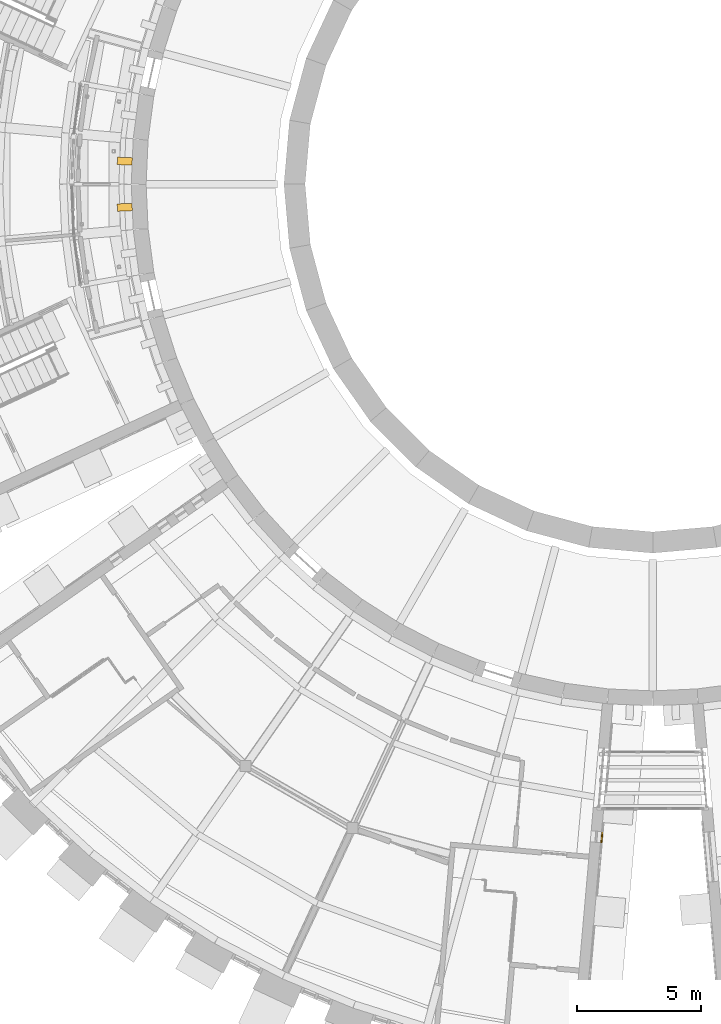
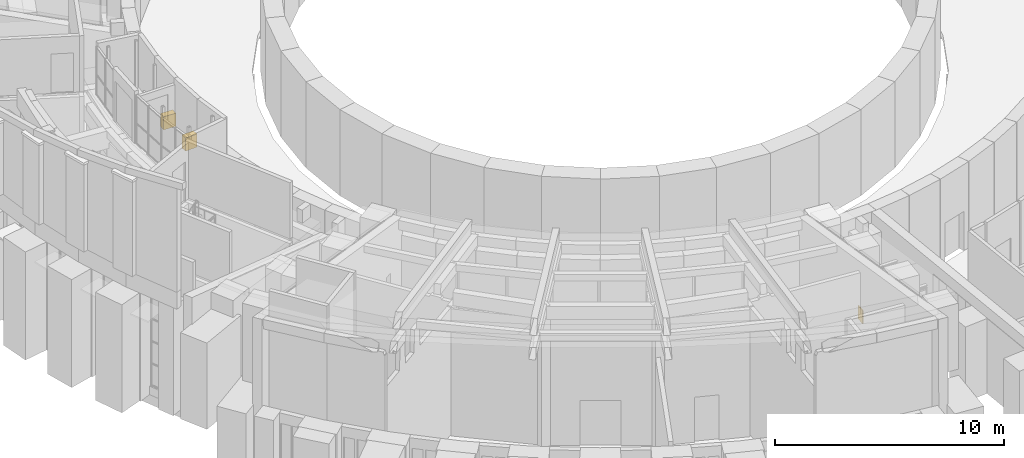
# One storey, part 65 of 66: 3 coverings.
"""IFC4 building model written with IfcOpenShell, lengths in metres."""

from ifc_helpers import new_model, si_unit, direction, frame, origin, origin_2d, place, context, subcontext, project, spatial, polyline, rectangle, outline, extrude, material, layer, layer_set, type_object, element, save


model = new_model("IFC4")

# Units and contexts
model_context = context("Model", 3, precision=1e-05, world=origin(), true_north=direction((0.0, 1.0)))
body_context = subcontext(model_context, "Body", "Model", "MODEL_VIEW")
ifc_project = project(units=[si_unit("LENGTHUNIT", "METRE"), si_unit("AREAUNIT", "SQUARE_METRE"), si_unit("VOLUMEUNIT", "CUBIC_METRE"), si_unit("PLANEANGLEUNIT", "RADIAN"), si_unit("MASSUNIT", "GRAM", prefix="KILO")], contexts=[model_context])

# Site, building, storey
site_placement = place(None, origin())
site = spatial("IfcSite", under=ifc_project, at=site_placement, CompositionType="ELEMENT")
building_placement = place(site_placement, origin())
building = spatial("IfcBuilding", under=site, at=building_placement, Name="Volute Hill Aquarium", CompositionType="ELEMENT")
storey_placement = place(building_placement, frame((0.0, 0.0, 4.60009765625)))
storey = spatial("IfcBuildingStorey", under=building, at=storey_placement, Name="L02", CompositionType="ELEMENT", Elevation=4.60009765625)

# Coverings
ifc_material_1 = material(Name="Precast pale concrete C40/50", Category="concrete")
covering_type_1 = type_object("IfcCoveringType", Name="Drum pier fin 300x600", PredefinedType="CLADDING", material=ifc_material_1)
for number, where, z_axis, x_axis, name in (
    (1, (-21.260009765625, 0.92822265625, 3.89990234375), (0.0, 0.0, 1.0), (-0.043619387365, -0.999048221582, 0.0), "Drum pier fin DF 36 L02"),
    (2, (-21.260009765625, -0.92822265625, 3.89990234375), (0.0, 0.0, 1.0), (0.043619387365, -0.999048221582, 0.0), "Drum pier fin DF 37 L02"),
):
    element("IfcCovering", number, at=place(storey_placement, frame(where, z_axis=z_axis, x_axis=x_axis)), inside=storey, type_object=covering_type_1, Name=name, PredefinedType="CLADDING", context=body_context, shape_type="SweptSolid", body=[
        extrude(rectangle(XDim=0.300048828125, YDim=0.60009765625, at=origin_2d()), origin(), (0.0, 0.0, 1.0), 0.699951171875),
    ])
ifc_material_2 = material(Name="Precast concrete C40/50", Category="concrete")
ifc_layer = layer(ifc_material_2, 0.050048828125)
ifc_layer_set = layer_set([ifc_layer], Name="End wall precast infill panel C40/50 50")
covering_type_2 = type_object("IfcCoveringType", Name="End wall precast infill panel C40/50 50", PredefinedType="CLADDING", material=ifc_layer_set)
covering_placement = place(storey_placement, frame((-2.0546875, -26.067138671875, 3.2998046875), z_axis=(-0.996177209405, 0.087355408886, 0.0), x_axis=(-0.087355408886, -0.996177209405, 0.0)))
element("IfcCovering", 3, at=covering_placement, inside=storey, type_object=covering_type_2, Name="End wall panel EWP S2B L02 2", PredefinedType="CLADDING", context=body_context, shape_type="SweptSolid", body=[
    extrude(outline(polyline([(0.0, 0.0), (0.4499622991451707, 0.0), (0.4499622991451707, 0.7001953125000001), (0.0, 0.7001953125000001), (0.0, 0.0)])), origin(), (0.0, 0.0, -1.0), 0.050048828125),
])

save(model, "model.ifc")
